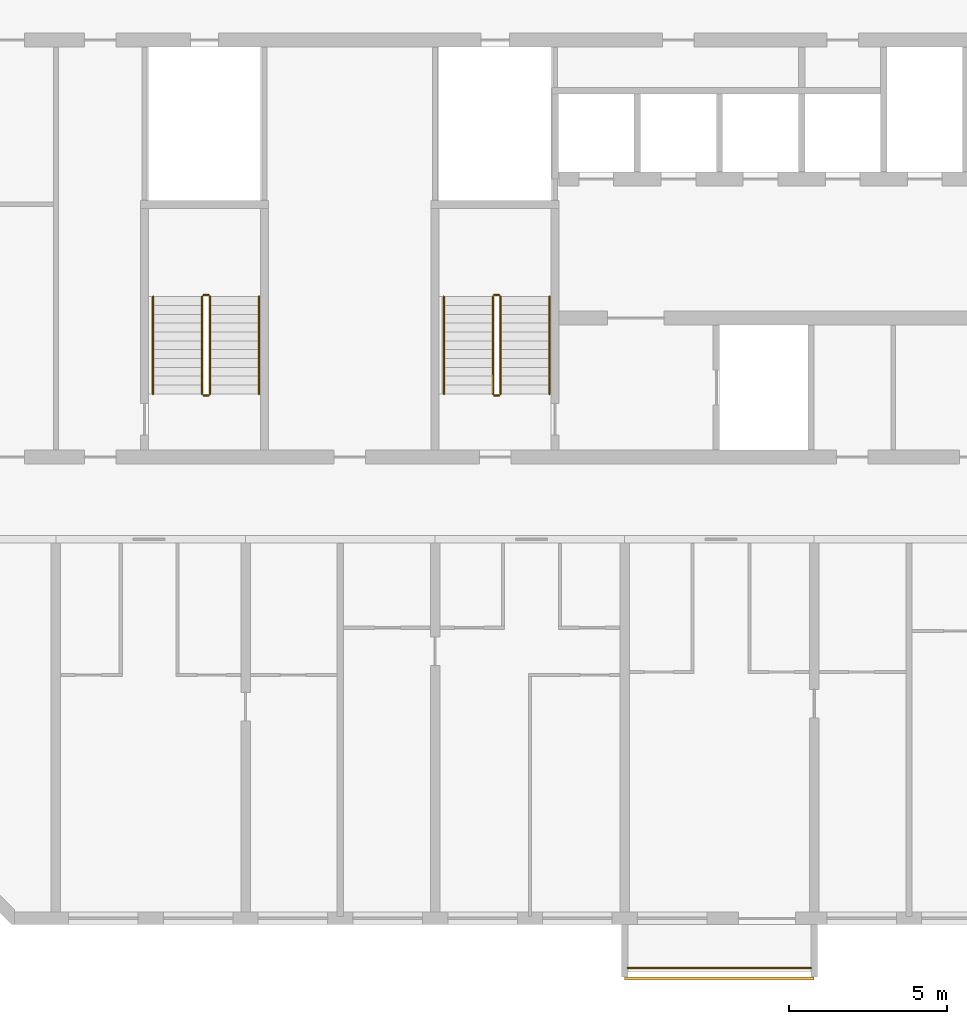
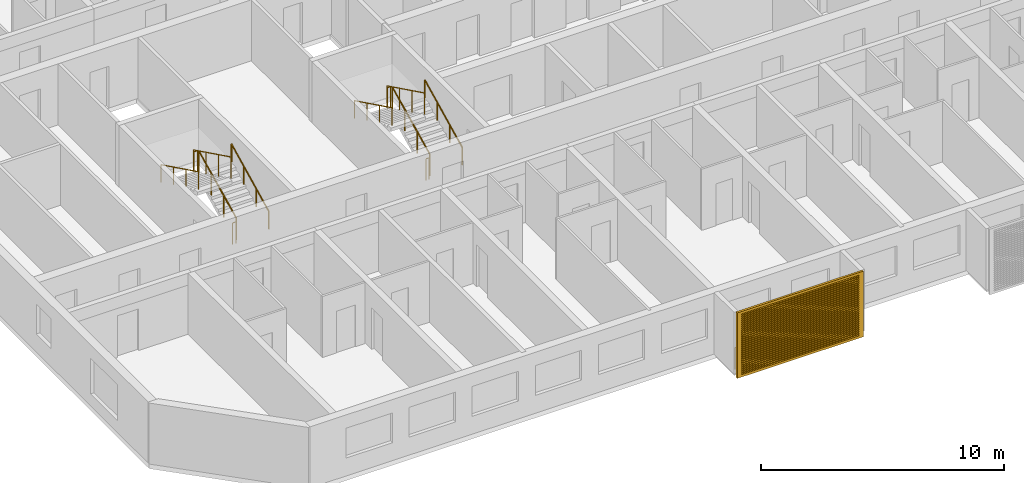
# One storey, part 14 of 32: 13 railings, 1 shading device.
"""IFC4 building model written with IfcOpenShell, lengths in metres."""

from ifc_helpers import new_model, si_unit, direction, frame, origin, origin_2d, place, context, subcontext, project, spatial, polyline, circle, outline, extrude, source, transform, mapped, material, material_profile, profile_set, type_object, element, save


model = new_model("IFC4")

# Units and contexts
model_context = context("Model", 3, precision=1e-05, world=origin(), true_north=direction((0.0, 1.0)))
body_context = subcontext(model_context, "Body", "Model", "MODEL_VIEW")
ifc_project = project(units=[si_unit("LENGTHUNIT", "METRE"), si_unit("AREAUNIT", "SQUARE_METRE"), si_unit("VOLUMEUNIT", "CUBIC_METRE"), si_unit("PLANEANGLEUNIT", "RADIAN"), si_unit("MASSUNIT", "GRAM", prefix="KILO")], contexts=[model_context])

# Site, building, storey
site_placement = place(None, origin())
site = spatial("IfcSite", under=ifc_project, at=site_placement, CompositionType="ELEMENT")
building_placement = place(site_placement, origin())
building = spatial("IfcBuilding", under=site, at=building_placement, Name="Poui Terraces", CompositionType="ELEMENT")
storey_placement = place(building_placement, frame((0.0, 0.0, 129.0)))
storey = spatial("IfcBuildingStorey", under=building, at=storey_placement, Name="L35", CompositionType="ELEMENT", Elevation=129.0)

# Railings
ifc_material_1 = material(Name="Painted steel fretwork", Category="steel")
railing_type_1 = type_object("IfcRailingType", Name="BALCONY GUARD 1100", PredefinedType="GUARDRAIL", material=ifc_material_1)
railing_1_placement = place(storey_placement, frame((36.10009765625, -1.570068359375, 0.0)))
element("IfcRailing", 1, at=railing_1_placement, inside=storey, type_object=railing_type_1, Name="BALCONY GUARD", PredefinedType="GUARDRAIL", context=body_context, shape_type="SweptSolid", body=[
    extrude(circle(Radius=0.02392578125, at=origin_2d()), frame((0.0, 0.0, 1.076171875), z_axis=(1.0, 0.0, 0.0), x_axis=(0.0, 1.0, 0.0)), (0.0, 0.0, 1.0), 5.7998046875),
    extrude(circle(Radius=0.02099609375, at=origin_2d()), origin(), (0.0, 0.0, 1.0), 1.052001953125),
    extrude(circle(Radius=0.02099609375, at=origin_2d()), frame((0.966552734375, 0.0, 0.0)), (0.0, 0.0, 1.0), 1.052001953125),
    extrude(circle(Radius=0.02099609375, at=origin_2d()), frame((1.933349609375, 0.0, 0.0)), (0.0, 0.0, 1.0), 1.052001953125),
    extrude(circle(Radius=0.02099609375, at=origin_2d()), frame((2.89990234375, 0.0, 0.0)), (0.0, 0.0, 1.0), 1.052001953125),
    extrude(circle(Radius=0.02099609375, at=origin_2d()), frame((3.866455078125, 0.0, 0.0)), (0.0, 0.0, 1.0), 1.052001953125),
    extrude(circle(Radius=0.02099609375, at=origin_2d()), frame((4.833251953125, 0.0, 0.0)), (0.0, 0.0, 1.0), 1.052001953125),
    extrude(circle(Radius=0.02099609375, at=origin_2d()), frame((5.7998046875, 0.0, 0.0)), (0.0, 0.0, 1.0), 1.052001953125),
])
ifc_material_2 = material(Name="Galvanised steel balustrade", Category="steel")
railing_type_2 = type_object("IfcRailingType", Name="STAIR GUARD 1100", PredefinedType="GUARDRAIL", material=ifc_material_2)
railing_2_placement = place(storey_placement, frame((32.074951171875, 16.60009765625, 0.137451171875)))
element("IfcRailing", 2, at=railing_2_placement, inside=storey, type_object=railing_type_2, Name="L35 ST-CW stair guard 1", PredefinedType="GUARDRAIL", context=body_context, shape_type="SweptSolid", body=[
    extrude(circle(Radius=0.02392578125, at=origin_2d()), frame((0.0, 0.0, 1.076171875), z_axis=(0.0, 0.897606190399, 0.440798283751), x_axis=(-1.0, 0.0, 0.0)), (0.0, 0.0, 1.0), 3.43115234375),
    extrude(circle(Radius=0.02099609375, at=origin_2d()), origin(), (0.0, 0.0, 1.0), 1.052001953125),
    extrude(circle(Radius=0.02099609375, at=origin_2d()), frame((0.0, 1.026611328125, 0.504150390625)), (0.0, 0.0, 1.0), 1.052001953125),
    extrude(circle(Radius=0.02099609375, at=origin_2d()), frame((0.0, 2.05322265625, 1.00830078125)), (0.0, 0.0, 1.0), 1.052001953125),
    extrude(circle(Radius=0.02099609375, at=origin_2d()), frame((0.0, 3.079833984375, 1.512451171875)), (0.0, 0.0, 1.0), 1.052001953125),
])
railing_3_placement = place(storey_placement, frame((32.02490234375, 19.72998046875, 1.64990234375)))
element("IfcRailing", 3, at=railing_3_placement, inside=storey, type_object=railing_type_2, Name="L35 ST-CW stair guard 2", PredefinedType="GUARDRAIL", context=body_context, shape_type="SweptSolid", body=[
    extrude(circle(Radius=0.02392578125, at=origin_2d()), frame((0.0, 0.0, 1.076171875), z_axis=(-1.0, 0.0, 0.0), x_axis=(0.0, -1.0, 0.0)), (0.0, 0.0, 1.0), 0.14990234375),
    extrude(circle(Radius=0.02099609375, at=origin_2d()), origin(), (0.0, 0.0, 1.0), 1.052001953125),
    extrude(circle(Radius=0.02099609375, at=origin_2d()), frame((-0.14990234375, 0.0, 0.0)), (0.0, 0.0, 1.0), 1.052001953125),
])
railing_4_placement = place(storey_placement, frame((31.824951171875, 19.679931640625, 1.78759765625)))
element("IfcRailing", 4, at=railing_4_placement, inside=storey, type_object=railing_type_2, Name="L35 ST-CW stair guard 3", PredefinedType="GUARDRAIL", context=body_context, shape_type="SweptSolid", body=[
    extrude(circle(Radius=0.02392578125, at=origin_2d()), frame((0.0, 0.0, 1.076171875), z_axis=(0.0, -0.897606190399, 0.440798283751), x_axis=(1.0, 0.0, 0.0)), (0.0, 0.0, 1.0), 3.43115234375),
    extrude(circle(Radius=0.02099609375, at=origin_2d()), origin(), (0.0, 0.0, 1.0), 1.052001953125),
    extrude(circle(Radius=0.02099609375, at=origin_2d()), frame((0.0, -1.026611328125, 0.504150390625)), (0.0, 0.0, 1.0), 1.052001953125),
    extrude(circle(Radius=0.02099609375, at=origin_2d()), frame((0.0, -2.05322265625, 1.00830078125)), (0.0, 0.0, 1.0), 1.052001953125),
    extrude(circle(Radius=0.02099609375, at=origin_2d()), frame((0.0, -3.079833984375, 1.512451171875)), (0.0, 0.0, 1.0), 1.052001953125),
])
railing_5_placement = place(storey_placement, frame((32.02490234375, 16.550048828125, 0.0)))
element("IfcRailing", 5, at=railing_5_placement, inside=storey, type_object=railing_type_2, Name="L35 ST-CW stair guard 4", PredefinedType="GUARDRAIL", context=body_context, shape_type="SweptSolid", body=[
    extrude(circle(Radius=0.02392578125, at=origin_2d()), frame((0.0, 0.0, 1.076171875), z_axis=(-1.0, 0.0, 0.0), x_axis=(0.0, -1.0, 0.0)), (0.0, 0.0, 1.0), 0.14990234375),
    extrude(circle(Radius=0.02099609375, at=origin_2d()), origin(), (0.0, 0.0, 1.0), 1.052001953125),
    extrude(circle(Radius=0.02099609375, at=origin_2d()), frame((-0.14990234375, 0.0, 0.0)), (0.0, 0.0, 1.0), 1.052001953125),
])
railing_6_placement = place(storey_placement, frame((22.875, 16.60009765625, 0.137451171875)))
element("IfcRailing", 6, at=railing_6_placement, inside=storey, type_object=railing_type_2, Name="L35 ST-W stair guard 1", PredefinedType="GUARDRAIL", context=body_context, shape_type="SweptSolid", body=[
    extrude(circle(Radius=0.02392578125, at=origin_2d()), frame((0.0, 0.0, 1.076171875), z_axis=(0.0, 0.897606190399, 0.440798283751), x_axis=(-1.0, 0.0, 0.0)), (0.0, 0.0, 1.0), 3.43115234375),
    extrude(circle(Radius=0.02099609375, at=origin_2d()), origin(), (0.0, 0.0, 1.0), 1.052001953125),
    extrude(circle(Radius=0.02099609375, at=origin_2d()), frame((0.0, 1.026611328125, 0.504150390625)), (0.0, 0.0, 1.0), 1.052001953125),
    extrude(circle(Radius=0.02099609375, at=origin_2d()), frame((0.0, 2.05322265625, 1.00830078125)), (0.0, 0.0, 1.0), 1.052001953125),
    extrude(circle(Radius=0.02099609375, at=origin_2d()), frame((0.0, 3.079833984375, 1.512451171875)), (0.0, 0.0, 1.0), 1.052001953125),
])
railing_7_placement = place(storey_placement, frame((22.824951171875, 19.72998046875, 1.64990234375)))
element("IfcRailing", 7, at=railing_7_placement, inside=storey, type_object=railing_type_2, Name="L35 ST-W stair guard 2", PredefinedType="GUARDRAIL", context=body_context, shape_type="SweptSolid", body=[
    extrude(circle(Radius=0.02392578125, at=origin_2d()), frame((0.0, 0.0, 1.076171875), z_axis=(-1.0, 0.0, 0.0), x_axis=(0.0, -1.0, 0.0)), (0.0, 0.0, 1.0), 0.14990234375),
    extrude(circle(Radius=0.02099609375, at=origin_2d()), origin(), (0.0, 0.0, 1.0), 1.052001953125),
    extrude(circle(Radius=0.02099609375, at=origin_2d()), frame((-0.14990234375, 0.0, 0.0)), (0.0, 0.0, 1.0), 1.052001953125),
])
railing_8_placement = place(storey_placement, frame((22.625, 19.679931640625, 1.78759765625)))
element("IfcRailing", 8, at=railing_8_placement, inside=storey, type_object=railing_type_2, Name="L35 ST-W stair guard 3", PredefinedType="GUARDRAIL", context=body_context, shape_type="SweptSolid", body=[
    extrude(circle(Radius=0.02392578125, at=origin_2d()), frame((0.0, 0.0, 1.076171875), z_axis=(0.0, -0.897606190399, 0.440798283751), x_axis=(1.0, 0.0, 0.0)), (0.0, 0.0, 1.0), 3.43115234375),
    extrude(circle(Radius=0.02099609375, at=origin_2d()), origin(), (0.0, 0.0, 1.0), 1.052001953125),
    extrude(circle(Radius=0.02099609375, at=origin_2d()), frame((0.0, -1.026611328125, 0.504150390625)), (0.0, 0.0, 1.0), 1.052001953125),
    extrude(circle(Radius=0.02099609375, at=origin_2d()), frame((0.0, -2.05322265625, 1.00830078125)), (0.0, 0.0, 1.0), 1.052001953125),
    extrude(circle(Radius=0.02099609375, at=origin_2d()), frame((0.0, -3.079833984375, 1.512451171875)), (0.0, 0.0, 1.0), 1.052001953125),
])
railing_9_placement = place(storey_placement, frame((22.824951171875, 16.550048828125, 0.0)))
element("IfcRailing", 9, at=railing_9_placement, inside=storey, type_object=railing_type_2, Name="L35 ST-W stair guard 4", PredefinedType="GUARDRAIL", context=body_context, shape_type="SweptSolid", body=[
    extrude(circle(Radius=0.02392578125, at=origin_2d()), frame((0.0, 0.0, 1.076171875), z_axis=(-1.0, 0.0, 0.0), x_axis=(0.0, -1.0, 0.0)), (0.0, 0.0, 1.0), 0.14990234375),
    extrude(circle(Radius=0.02099609375, at=origin_2d()), origin(), (0.0, 0.0, 1.0), 1.052001953125),
    extrude(circle(Radius=0.02099609375, at=origin_2d()), frame((-0.14990234375, 0.0, 0.0)), (0.0, 0.0, 1.0), 1.052001953125),
])
ifc_material_3 = material(Name="Stainless steel handrail", Category="steel")
railing_type_3 = type_object("IfcRailingType", Name="STAIR HANDRAIL 900", PredefinedType="HANDRAIL", material=ifc_material_3)
railing_10_placement = place(storey_placement, frame((33.625, 16.60009765625, 0.137451171875)))
element("IfcRailing", 10, at=railing_10_placement, inside=storey, type_object=railing_type_3, Name="L35 ST-CW stair handrail 1", PredefinedType="HANDRAIL", context=body_context, shape_type="SweptSolid", body=[
    extrude(circle(Radius=0.02392578125, at=origin_2d()), frame((0.0, 0.0, 0.8759765625), z_axis=(0.0, 0.897606190399, 0.440798283751), x_axis=(-1.0, 0.0, 0.0)), (0.0, 0.0, 1.0), 3.43115234375),
    extrude(circle(Radius=0.02099609375, at=origin_2d()), origin(), (0.0, 0.0, 1.0), 0.851806640625),
    extrude(circle(Radius=0.02099609375, at=origin_2d()), frame((0.0, 1.026611328125, 0.504150390625)), (0.0, 0.0, 1.0), 0.851806640625),
    extrude(circle(Radius=0.02099609375, at=origin_2d()), frame((0.0, 2.05322265625, 1.00830078125)), (0.0, 0.0, 1.0), 0.851806640625),
    extrude(circle(Radius=0.02099609375, at=origin_2d()), frame((0.0, 3.079833984375, 1.512451171875)), (0.0, 0.0, 1.0), 0.851806640625),
])
railing_11_placement = place(storey_placement, frame((30.27490234375, 19.679931640625, 1.78759765625)))
element("IfcRailing", 11, at=railing_11_placement, inside=storey, type_object=railing_type_3, Name="L35 ST-CW stair handrail 2", PredefinedType="HANDRAIL", context=body_context, shape_type="SweptSolid", body=[
    extrude(circle(Radius=0.02392578125, at=origin_2d()), frame((0.0, 0.0, 0.8759765625), z_axis=(0.0, -0.897606190399, 0.440798283751), x_axis=(1.0, 0.0, 0.0)), (0.0, 0.0, 1.0), 3.43115234375),
    extrude(circle(Radius=0.02099609375, at=origin_2d()), origin(), (0.0, 0.0, 1.0), 0.851806640625),
    extrude(circle(Radius=0.02099609375, at=origin_2d()), frame((0.0, -1.026611328125, 0.504150390625)), (0.0, 0.0, 1.0), 0.851806640625),
    extrude(circle(Radius=0.02099609375, at=origin_2d()), frame((0.0, -2.05322265625, 1.00830078125)), (0.0, 0.0, 1.0), 0.851806640625),
    extrude(circle(Radius=0.02099609375, at=origin_2d()), frame((0.0, -3.079833984375, 1.512451171875)), (0.0, 0.0, 1.0), 0.851806640625),
])
railing_12_placement = place(storey_placement, frame((24.425048828125, 16.60009765625, 0.137451171875)))
element("IfcRailing", 12, at=railing_12_placement, inside=storey, type_object=railing_type_3, Name="L35 ST-W stair handrail 1", PredefinedType="HANDRAIL", context=body_context, shape_type="SweptSolid", body=[
    extrude(circle(Radius=0.02392578125, at=origin_2d()), frame((0.0, 0.0, 0.8759765625), z_axis=(0.0, 0.897606190399, 0.440798283751), x_axis=(-1.0, 0.0, 0.0)), (0.0, 0.0, 1.0), 3.43115234375),
    extrude(circle(Radius=0.02099609375, at=origin_2d()), origin(), (0.0, 0.0, 1.0), 0.851806640625),
    extrude(circle(Radius=0.02099609375, at=origin_2d()), frame((0.0, 1.026611328125, 0.504150390625)), (0.0, 0.0, 1.0), 0.851806640625),
    extrude(circle(Radius=0.02099609375, at=origin_2d()), frame((0.0, 2.05322265625, 1.00830078125)), (0.0, 0.0, 1.0), 0.851806640625),
    extrude(circle(Radius=0.02099609375, at=origin_2d()), frame((0.0, 3.079833984375, 1.512451171875)), (0.0, 0.0, 1.0), 0.851806640625),
])
railing_13_placement = place(storey_placement, frame((21.074951171875, 19.679931640625, 1.78759765625)))
element("IfcRailing", 13, at=railing_13_placement, inside=storey, type_object=railing_type_3, Name="L35 ST-W stair handrail 2", PredefinedType="HANDRAIL", context=body_context, shape_type="SweptSolid", body=[
    extrude(circle(Radius=0.02392578125, at=origin_2d()), frame((0.0, 0.0, 0.8759765625), z_axis=(0.0, -0.897606190399, 0.440798283751), x_axis=(1.0, 0.0, 0.0)), (0.0, 0.0, 1.0), 3.43115234375),
    extrude(circle(Radius=0.02099609375, at=origin_2d()), origin(), (0.0, 0.0, 1.0), 0.851806640625),
    extrude(circle(Radius=0.02099609375, at=origin_2d()), frame((0.0, -1.026611328125, 0.504150390625)), (0.0, 0.0, 1.0), 0.851806640625),
    extrude(circle(Radius=0.02099609375, at=origin_2d()), frame((0.0, -2.05322265625, 1.00830078125)), (0.0, 0.0, 1.0), 0.851806640625),
    extrude(circle(Radius=0.02099609375, at=origin_2d()), frame((0.0, -3.079833984375, 1.512451171875)), (0.0, 0.0, 1.0), 0.851806640625),
])

# Shading device
ifc_material_4 = material(Name="Aluminium louvre", Category="aluminium")
ifc_material_profile = material_profile(ifc_material_4, outline(polyline([(-3.0, -1.64990234375), (3.0, -1.64990234375), (3.0, 1.64990234375), (-3.0, 1.64990234375), (-3.0, -1.64990234375)]), holes=[polyline([(-2.800048828125, -1.530029296875), (2.800048828125, -1.530029296875), (2.800048828125, -1.469970703125), (-2.800048828125, -1.469970703125), (-2.800048828125, -1.530029296875)]), polyline([(-2.800048828125, -1.429931640625), (2.800048828125, -1.429931640625), (2.800048828125, -1.3701171875), (-2.800048828125, -1.3701171875), (-2.800048828125, -1.429931640625)]), polyline([(-2.800048828125, -1.330078125), (2.800048828125, -1.330078125), (2.800048828125, -1.27001953125), (-2.800048828125, -1.27001953125), (-2.800048828125, -1.330078125)]), polyline([(-2.800048828125, -1.22998046875), (2.800048828125, -1.22998046875), (2.800048828125, -1.169921875), (-2.800048828125, -1.169921875), (-2.800048828125, -1.22998046875)]), polyline([(-2.800048828125, -1.1298828125), (2.800048828125, -1.1298828125), (2.800048828125, -1.070068359375), (-2.800048828125, -1.070068359375), (-2.800048828125, -1.1298828125)]), polyline([(-2.800048828125, -1.030029296875), (2.800048828125, -1.030029296875), (2.800048828125, -0.969970703125), (-2.800048828125, -0.969970703125), (-2.800048828125, -1.030029296875)]), polyline([(-2.800048828125, -0.929931640625), (2.800048828125, -0.929931640625), (2.800048828125, -0.8701171875), (-2.800048828125, -0.8701171875), (-2.800048828125, -0.929931640625)]), polyline([(-2.800048828125, -0.830078125), (2.800048828125, -0.830078125), (2.800048828125, -0.77001953125), (-2.800048828125, -0.77001953125), (-2.800048828125, -0.830078125)]), polyline([(-2.800048828125, -0.72998046875), (2.800048828125, -0.72998046875), (2.800048828125, -0.669921875), (-2.800048828125, -0.669921875), (-2.800048828125, -0.72998046875)]), polyline([(-2.800048828125, -0.6298828125), (2.800048828125, -0.6298828125), (2.800048828125, -0.570068359375), (-2.800048828125, -0.570068359375), (-2.800048828125, -0.6298828125)]), polyline([(-2.800048828125, -0.530029296875), (2.800048828125, -0.530029296875), (2.800048828125, -0.469970703125), (-2.800048828125, -0.469970703125), (-2.800048828125, -0.530029296875)]), polyline([(-2.800048828125, -0.429931640625), (2.800048828125, -0.429931640625), (2.800048828125, -0.3701171875), (-2.800048828125, -0.3701171875), (-2.800048828125, -0.429931640625)]), polyline([(-2.800048828125, -0.330078125), (2.800048828125, -0.330078125), (2.800048828125, -0.27001953125), (-2.800048828125, -0.27001953125), (-2.800048828125, -0.330078125)]), polyline([(-2.800048828125, -0.22998046875), (2.800048828125, -0.22998046875), (2.800048828125, -0.169921875), (-2.800048828125, -0.169921875), (-2.800048828125, -0.22998046875)]), polyline([(-2.800048828125, -0.1298828125), (2.800048828125, -0.1298828125), (2.800048828125, -0.070068359375), (-2.800048828125, -0.070068359375), (-2.800048828125, -0.1298828125)]), polyline([(-2.800048828125, -0.030029296875), (2.800048828125, -0.030029296875), (2.800048828125, 0.030029296875), (-2.800048828125, 0.030029296875), (-2.800048828125, -0.030029296875)]), polyline([(-2.800048828125, 0.070068359375), (2.800048828125, 0.070068359375), (2.800048828125, 0.1298828125), (-2.800048828125, 0.1298828125), (-2.800048828125, 0.070068359375)]), polyline([(-2.800048828125, 0.169921875), (2.800048828125, 0.169921875), (2.800048828125, 0.22998046875), (-2.800048828125, 0.22998046875), (-2.800048828125, 0.169921875)]), polyline([(-2.800048828125, 0.27001953125), (2.800048828125, 0.27001953125), (2.800048828125, 0.330078125), (-2.800048828125, 0.330078125), (-2.800048828125, 0.27001953125)]), polyline([(-2.800048828125, 0.3701171875), (2.800048828125, 0.3701171875), (2.800048828125, 0.429931640625), (-2.800048828125, 0.429931640625), (-2.800048828125, 0.3701171875)]), polyline([(-2.800048828125, 0.469970703125), (2.800048828125, 0.469970703125), (2.800048828125, 0.530029296875), (-2.800048828125, 0.530029296875), (-2.800048828125, 0.469970703125)]), polyline([(-2.800048828125, 0.570068359375), (2.800048828125, 0.570068359375), (2.800048828125, 0.6298828125), (-2.800048828125, 0.6298828125), (-2.800048828125, 0.570068359375)]), polyline([(-2.800048828125, 0.669921875), (2.800048828125, 0.669921875), (2.800048828125, 0.72998046875), (-2.800048828125, 0.72998046875), (-2.800048828125, 0.669921875)]), polyline([(-2.800048828125, 0.77001953125), (2.800048828125, 0.77001953125), (2.800048828125, 0.830078125), (-2.800048828125, 0.830078125), (-2.800048828125, 0.77001953125)]), polyline([(-2.800048828125, 0.8701171875), (2.800048828125, 0.8701171875), (2.800048828125, 0.929931640625), (-2.800048828125, 0.929931640625), (-2.800048828125, 0.8701171875)]), polyline([(-2.800048828125, 0.969970703125), (2.800048828125, 0.969970703125), (2.800048828125, 1.030029296875), (-2.800048828125, 1.030029296875), (-2.800048828125, 0.969970703125)]), polyline([(-2.800048828125, 1.070068359375), (2.800048828125, 1.070068359375), (2.800048828125, 1.1298828125), (-2.800048828125, 1.1298828125), (-2.800048828125, 1.070068359375)]), polyline([(-2.800048828125, 1.169921875), (2.800048828125, 1.169921875), (2.800048828125, 1.22998046875), (-2.800048828125, 1.22998046875), (-2.800048828125, 1.169921875)]), polyline([(-2.800048828125, 1.27001953125), (2.800048828125, 1.27001953125), (2.800048828125, 1.330078125), (-2.800048828125, 1.330078125), (-2.800048828125, 1.27001953125)]), polyline([(-2.800048828125, 1.3701171875), (2.800048828125, 1.3701171875), (2.800048828125, 1.429931640625), (-2.800048828125, 1.429931640625), (-2.800048828125, 1.3701171875)]), polyline([(-2.800048828125, 1.469970703125), (2.800048828125, 1.469970703125), (2.800048828125, 1.530029296875), (-2.800048828125, 1.530029296875), (-2.800048828125, 1.469970703125)])]), Name="JALOUSIE LOUVRE SHUTTER 6000X3300")
ifc_profile_set = profile_set([ifc_material_profile], Name="Aluminium louvre")
shading_device_type = type_object("IfcShadingDeviceType", Name="JALOUSIE LOUVRE SHUTTER 6000X3300", PredefinedType="JALOUSIE", material=ifc_profile_set)
shared_shape = source(origin(), body_context, "Body", "SweptSolid", [
    extrude(outline(polyline([(-3.0, -1.64990234375), (3.0, -1.64990234375), (3.0, 1.64990234375), (-3.0, 1.64990234375), (-3.0, -1.64990234375)]), holes=[polyline([(-2.800048828125, -1.530029296875), (2.800048828125, -1.530029296875), (2.800048828125, -1.469970703125), (-2.800048828125, -1.469970703125), (-2.800048828125, -1.530029296875)]), polyline([(-2.800048828125, -1.429931640625), (2.800048828125, -1.429931640625), (2.800048828125, -1.3701171875), (-2.800048828125, -1.3701171875), (-2.800048828125, -1.429931640625)]), polyline([(-2.800048828125, -1.330078125), (2.800048828125, -1.330078125), (2.800048828125, -1.27001953125), (-2.800048828125, -1.27001953125), (-2.800048828125, -1.330078125)]), polyline([(-2.800048828125, -1.22998046875), (2.800048828125, -1.22998046875), (2.800048828125, -1.169921875), (-2.800048828125, -1.169921875), (-2.800048828125, -1.22998046875)]), polyline([(-2.800048828125, -1.1298828125), (2.800048828125, -1.1298828125), (2.800048828125, -1.070068359375), (-2.800048828125, -1.070068359375), (-2.800048828125, -1.1298828125)]), polyline([(-2.800048828125, -1.030029296875), (2.800048828125, -1.030029296875), (2.800048828125, -0.969970703125), (-2.800048828125, -0.969970703125), (-2.800048828125, -1.030029296875)]), polyline([(-2.800048828125, -0.929931640625), (2.800048828125, -0.929931640625), (2.800048828125, -0.8701171875), (-2.800048828125, -0.8701171875), (-2.800048828125, -0.929931640625)]), polyline([(-2.800048828125, -0.830078125), (2.800048828125, -0.830078125), (2.800048828125, -0.77001953125), (-2.800048828125, -0.77001953125), (-2.800048828125, -0.830078125)]), polyline([(-2.800048828125, -0.72998046875), (2.800048828125, -0.72998046875), (2.800048828125, -0.669921875), (-2.800048828125, -0.669921875), (-2.800048828125, -0.72998046875)]), polyline([(-2.800048828125, -0.6298828125), (2.800048828125, -0.6298828125), (2.800048828125, -0.570068359375), (-2.800048828125, -0.570068359375), (-2.800048828125, -0.6298828125)]), polyline([(-2.800048828125, -0.530029296875), (2.800048828125, -0.530029296875), (2.800048828125, -0.469970703125), (-2.800048828125, -0.469970703125), (-2.800048828125, -0.530029296875)]), polyline([(-2.800048828125, -0.429931640625), (2.800048828125, -0.429931640625), (2.800048828125, -0.3701171875), (-2.800048828125, -0.3701171875), (-2.800048828125, -0.429931640625)]), polyline([(-2.800048828125, -0.330078125), (2.800048828125, -0.330078125), (2.800048828125, -0.27001953125), (-2.800048828125, -0.27001953125), (-2.800048828125, -0.330078125)]), polyline([(-2.800048828125, -0.22998046875), (2.800048828125, -0.22998046875), (2.800048828125, -0.169921875), (-2.800048828125, -0.169921875), (-2.800048828125, -0.22998046875)]), polyline([(-2.800048828125, -0.1298828125), (2.800048828125, -0.1298828125), (2.800048828125, -0.070068359375), (-2.800048828125, -0.070068359375), (-2.800048828125, -0.1298828125)]), polyline([(-2.800048828125, -0.030029296875), (2.800048828125, -0.030029296875), (2.800048828125, 0.030029296875), (-2.800048828125, 0.030029296875), (-2.800048828125, -0.030029296875)]), polyline([(-2.800048828125, 0.070068359375), (2.800048828125, 0.070068359375), (2.800048828125, 0.1298828125), (-2.800048828125, 0.1298828125), (-2.800048828125, 0.070068359375)]), polyline([(-2.800048828125, 0.169921875), (2.800048828125, 0.169921875), (2.800048828125, 0.22998046875), (-2.800048828125, 0.22998046875), (-2.800048828125, 0.169921875)]), polyline([(-2.800048828125, 0.27001953125), (2.800048828125, 0.27001953125), (2.800048828125, 0.330078125), (-2.800048828125, 0.330078125), (-2.800048828125, 0.27001953125)]), polyline([(-2.800048828125, 0.3701171875), (2.800048828125, 0.3701171875), (2.800048828125, 0.429931640625), (-2.800048828125, 0.429931640625), (-2.800048828125, 0.3701171875)]), polyline([(-2.800048828125, 0.469970703125), (2.800048828125, 0.469970703125), (2.800048828125, 0.530029296875), (-2.800048828125, 0.530029296875), (-2.800048828125, 0.469970703125)]), polyline([(-2.800048828125, 0.570068359375), (2.800048828125, 0.570068359375), (2.800048828125, 0.6298828125), (-2.800048828125, 0.6298828125), (-2.800048828125, 0.570068359375)]), polyline([(-2.800048828125, 0.669921875), (2.800048828125, 0.669921875), (2.800048828125, 0.72998046875), (-2.800048828125, 0.72998046875), (-2.800048828125, 0.669921875)]), polyline([(-2.800048828125, 0.77001953125), (2.800048828125, 0.77001953125), (2.800048828125, 0.830078125), (-2.800048828125, 0.830078125), (-2.800048828125, 0.77001953125)]), polyline([(-2.800048828125, 0.8701171875), (2.800048828125, 0.8701171875), (2.800048828125, 0.929931640625), (-2.800048828125, 0.929931640625), (-2.800048828125, 0.8701171875)]), polyline([(-2.800048828125, 0.969970703125), (2.800048828125, 0.969970703125), (2.800048828125, 1.030029296875), (-2.800048828125, 1.030029296875), (-2.800048828125, 0.969970703125)]), polyline([(-2.800048828125, 1.070068359375), (2.800048828125, 1.070068359375), (2.800048828125, 1.1298828125), (-2.800048828125, 1.1298828125), (-2.800048828125, 1.070068359375)]), polyline([(-2.800048828125, 1.169921875), (2.800048828125, 1.169921875), (2.800048828125, 1.22998046875), (-2.800048828125, 1.22998046875), (-2.800048828125, 1.169921875)]), polyline([(-2.800048828125, 1.27001953125), (2.800048828125, 1.27001953125), (2.800048828125, 1.330078125), (-2.800048828125, 1.330078125), (-2.800048828125, 1.27001953125)]), polyline([(-2.800048828125, 1.3701171875), (2.800048828125, 1.3701171875), (2.800048828125, 1.429931640625), (-2.800048828125, 1.429931640625), (-2.800048828125, 1.3701171875)]), polyline([(-2.800048828125, 1.469970703125), (2.800048828125, 1.469970703125), (2.800048828125, 1.530029296875), (-2.800048828125, 1.530029296875), (-2.800048828125, 1.469970703125)])]), origin(), (0.0, 0.0, 1.0), 0.099853515625),
])
shading_device_placement = place(storey_placement, frame((39.0, -1.85009765625, 1.449951171875), z_axis=(0.0, -1.0, 0.0), x_axis=(1.0, 0.0, 0.0)))
element("IfcShadingDevice", 14, at=shading_device_placement, inside=storey, type_object=shading_device_type, Name="JALOUSIE LOUVRE SHUTTER", PredefinedType="JALOUSIE", context=body_context, shape_type="MappedRepresentation", body=[
    mapped(shared_shape, transform((0.0, 0.0, 0.0))),
])

save(model, "model.ifc")
